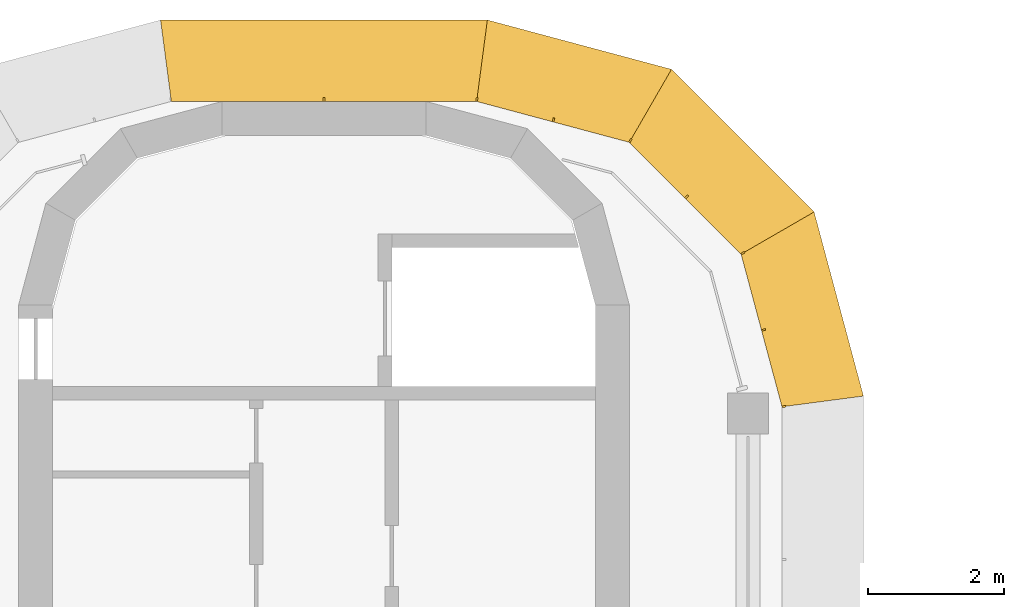
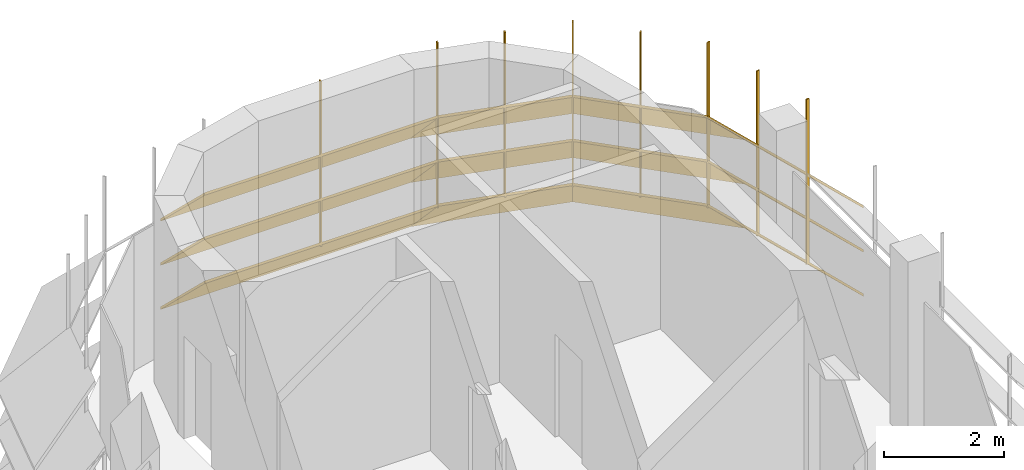
# One storey, part 19 of 19: 2 shading devices.
"""IFC4 building model written with IfcOpenShell, lengths in metres."""

from ifc_helpers import new_model, si_unit, direction, frame, origin, place, context, subcontext, project, spatial, polyline, outline, extrude, faceted_brep, source, transform, mapped, material, type_object, element, save


model = new_model("IFC4")

# Units and contexts
model_context = context("Model", 3, precision=1e-05, world=origin(), true_north=direction((0.0, 1.0)))
body_context = subcontext(model_context, "Body", "Model", "MODEL_VIEW")
ifc_project = project(units=[si_unit("LENGTHUNIT", "METRE"), si_unit("AREAUNIT", "SQUARE_METRE"), si_unit("VOLUMEUNIT", "CUBIC_METRE"), si_unit("PLANEANGLEUNIT", "RADIAN"), si_unit("MASSUNIT", "GRAM", prefix="KILO")], contexts=[model_context])

# Site, building, storey
site_placement = place(None, origin())
site = spatial("IfcSite", under=ifc_project, at=site_placement, CompositionType="ELEMENT")
building_placement = place(site_placement, origin())
building = spatial("IfcBuilding", under=site, at=building_placement, Name="Zarbagh Exchange Tower", CompositionType="ELEMENT")
storey_placement = place(building_placement, frame((0.0, 0.0, 265.0)))
storey = spatial("IfcBuildingStorey", under=building, at=storey_placement, Name="L65", CompositionType="ELEMENT", Elevation=265.0)

# Shading devices
ifc_material = material(Name="Anodised aluminium blades and brackets", Category="aluminium")
shading_device_type = type_object("IfcShadingDeviceType", Name="SUNSHADE louvre band, 45 degree blades", PredefinedType="JALOUSIE", material=ifc_material)
shared_shape_1 = source(origin(), body_context, "Body", "Brep", [
    faceted_brep([(0.0, 0.0, 0.0), (0.0, 0.0, -0.056640625), (-0.157958984375, -1.199951171875, -1.256591796875), (-0.157958984375, -1.199951171875, -1.199951171875), (2.65087890625, -1.199951171875, -1.199951171875), (2.65087890625, -1.199951171875, -1.256591796875), (2.329345703125, 0.0, -0.056640625), (2.329345703125, 0.0, 0.0)], [[[0, 1, 2, 3]], [[4, 5, 6, 7]], [[0, 7, 6, 1]], [[1, 6, 5, 2]], [[2, 5, 4, 3]], [[3, 4, 7, 0]]]),
])
shared_shape_2 = source(origin(), body_context, "Body", "Brep", [
    faceted_brep([(0.0, 0.0, 0.0), (0.0, 0.0, -0.056640625), (-0.321533203125, -1.199951171875, -1.256591796875), (-0.321533203125, -1.199951171875, -1.199951171875), (2.65087890625, -1.199951171875, -1.199951171875), (2.65087890625, -1.199951171875, -1.256591796875), (2.329345703125, 0.0, -0.056640625), (2.329345703125, 0.0, 0.0)], [[[0, 1, 2, 3]], [[4, 5, 6, 7]], [[0, 7, 6, 1]], [[1, 6, 5, 2]], [[2, 5, 4, 3]], [[3, 4, 7, 0]]]),
])
shared_shape_3 = source(origin(), body_context, "Body", "Brep", [
    faceted_brep([(0.0, 0.0, 0.0), (0.0, 0.0, -0.056640625), (-0.321533203125, -1.199951171875, -1.256591796875), (-0.321533203125, -1.199951171875, -1.199951171875), (2.4873046875, -1.199951171875, -1.199951171875), (2.4873046875, -1.199951171875, -1.256591796875), (2.329345703125, 0.0, -0.056640625), (2.329345703125, 0.0, 0.0)], [[[0, 1, 2, 3]], [[4, 5, 6, 7]], [[0, 7, 6, 1]], [[1, 6, 5, 2]], [[2, 5, 4, 3]], [[3, 4, 7, 0]]]),
])
shared_shape_4 = source(origin(), body_context, "Body", "SweptSolid", [
    extrude(outline(polyline([(0.0, -0.012451171875), (0.06005859375, -0.012451171875), (0.06005859375, 0.012451171875), (0.0, 0.012451171875), (0.0, -0.012451171875)])), origin(), (0.0, 0.0, 1.0), 3.366455078125),
])
placement = place(storey_placement, origin())
element("IfcShadingDevice", 1, at=placement, inside=storey, type_object=shading_device_type, Name="SS46 sunshade band", PredefinedType="JALOUSIE", context=body_context, shape_type="MappedRepresentation", body=[
    mapped(shared_shape_1, transform((6.75, 24.75, 2.300048828125), x_axis=(-0.258824779902, 0.965924289636, 0.0), y_axis=(-0.965924289636, -0.258824779902, 0.0), z_axis=(0.0, 0.0, 1.0))),
    mapped(shared_shape_1, transform((6.75, 24.75, 1.39990234375), x_axis=(-0.258824779902, 0.965924289636, 0.0), y_axis=(-0.965924289636, -0.258824779902, 0.0), z_axis=(0.0, 0.0, 1.0))),
    mapped(shared_shape_1, transform((6.75, 24.75, 0.5), x_axis=(-0.258824779902, 0.965924289636, 0.0), y_axis=(-0.965924289636, -0.258824779902, 0.0), z_axis=(0.0, 0.0, 1.0))),
    mapped(shared_shape_2, transform((6.147216796875, 27.0, 2.300048828125), x_axis=(-0.707106781187, 0.707106781187, 0.0), y_axis=(-0.707106781187, -0.707106781187, 0.0), z_axis=(0.0, 0.0, 1.0))),
    mapped(shared_shape_2, transform((6.147216796875, 27.0, 1.39990234375), x_axis=(-0.707106781187, 0.707106781187, 0.0), y_axis=(-0.707106781187, -0.707106781187, 0.0), z_axis=(0.0, 0.0, 1.0))),
    mapped(shared_shape_2, transform((6.147216796875, 27.0, 0.5), x_axis=(-0.707106781187, 0.707106781187, 0.0), y_axis=(-0.707106781187, -0.707106781187, 0.0), z_axis=(0.0, 0.0, 1.0))),
    mapped(shared_shape_3, transform((4.5, 28.647216796875, 2.300048828125), x_axis=(-0.965924289636, 0.258824779902, 0.0), y_axis=(-0.258824779902, -0.965924289636, 0.0), z_axis=(0.0, 0.0, 1.0))),
    mapped(shared_shape_3, transform((4.5, 28.647216796875, 1.39990234375), x_axis=(-0.965924289636, 0.258824779902, 0.0), y_axis=(-0.258824779902, -0.965924289636, 0.0), z_axis=(0.0, 0.0, 1.0))),
    mapped(shared_shape_3, transform((4.5, 28.647216796875, 0.5), x_axis=(-0.965924289636, 0.258824779902, 0.0), y_axis=(-0.258824779902, -0.965924289636, 0.0), z_axis=(0.0, 0.0, 1.0))),
    mapped(shared_shape_4, transform((6.75, 24.75, 0.413330078125), x_axis=(0.991444457092, 0.130529263012, 0.0), y_axis=(-0.130529263012, 0.991444457092, 0.0), z_axis=(0.0, 0.0, 1.0))),
    mapped(shared_shape_4, transform((6.448486328125, 25.875, 0.413330078125), x_axis=(0.96592421511, 0.258825058029, 0.0), y_axis=(-0.258825058029, 0.96592421511, 0.0), z_axis=(0.0, 0.0, 1.0))),
    mapped(shared_shape_4, transform((6.147216796875, 27.0, 0.413330078125), x_axis=(0.866023812018, 0.50000275701, 0.0), y_axis=(-0.50000275701, 0.866023812018, 0.0), z_axis=(0.0, 0.0, 1.0))),
    mapped(shared_shape_4, transform((5.323486328125, 27.823486328125, 0.413330078125), x_axis=(0.707106781187, 0.707106781187, 0.0), y_axis=(-0.707106781187, 0.707106781187, 0.0), z_axis=(0.0, 0.0, 1.0))),
    mapped(shared_shape_4, transform((4.5, 28.647216796875, 0.413330078125), x_axis=(0.50000275701, 0.866023812018, 0.0), y_axis=(-0.866023812018, 0.50000275701, 0.0), z_axis=(0.0, 0.0, 1.0))),
    mapped(shared_shape_4, transform((3.375, 28.948486328125, 0.413330078125), x_axis=(0.258825058029, 0.96592421511, 0.0), y_axis=(-0.96592421511, 0.258825058029, 0.0), z_axis=(0.0, 0.0, 1.0))),
])
shared_shape_5 = source(origin(), body_context, "Body", "Brep", [
    faceted_brep([(0.0, 0.0, 0.0), (0.0, 0.0, -0.056640625), (-0.157958984375, -1.199951171875, -1.256591796875), (-0.157958984375, -1.199951171875, -1.199951171875), (4.657958984375, -1.199951171875, -1.199951171875), (4.657958984375, -1.199951171875, -1.256591796875), (4.5, 0.0, -0.056640625), (4.5, 0.0, 0.0)], [[[0, 1, 2, 3]], [[4, 5, 6, 7]], [[0, 7, 6, 1]], [[1, 6, 5, 2]], [[2, 5, 4, 3]], [[3, 4, 7, 0]]]),
])
element("IfcShadingDevice", 2, at=placement, inside=storey, type_object=shading_device_type, Name="SS47 sunshade band", PredefinedType="JALOUSIE", context=body_context, shape_type="MappedRepresentation", body=[
    mapped(shared_shape_5, transform((2.25, 29.25, 2.300048828125), x_axis=(-1.0, 0.0, 0.0), y_axis=(0.0, -1.0, 0.0), z_axis=(0.0, 0.0, 1.0))),
    mapped(shared_shape_5, transform((2.25, 29.25, 1.39990234375), x_axis=(-1.0, 0.0, 0.0), y_axis=(0.0, -1.0, 0.0), z_axis=(0.0, 0.0, 1.0))),
    mapped(shared_shape_5, transform((2.25, 29.25, 0.5), x_axis=(-1.0, 0.0, 0.0), y_axis=(0.0, -1.0, 0.0), z_axis=(0.0, 0.0, 1.0))),
    mapped(shared_shape_4, transform((2.25, 29.25, 0.413330078125), x_axis=(0.130529263012, 0.991444457092, 0.0), y_axis=(-0.991444457092, 0.130529263012, 0.0), z_axis=(0.0, 0.0, 1.0))),
    mapped(shared_shape_4, transform((0.0, 29.25, 0.413330078125), x_axis=(0.0, 1.0, 0.0), y_axis=(-1.0, 0.0, 0.0), z_axis=(0.0, 0.0, 1.0))),
])

save(model, "model.ifc")
